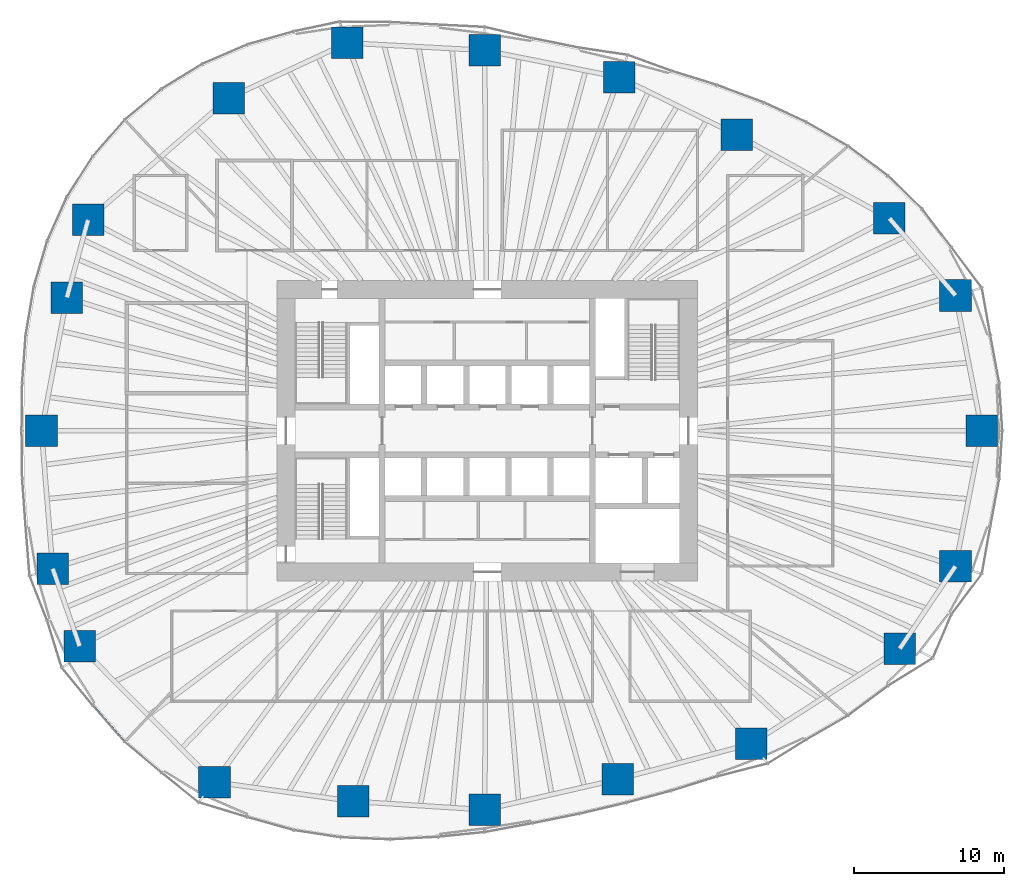
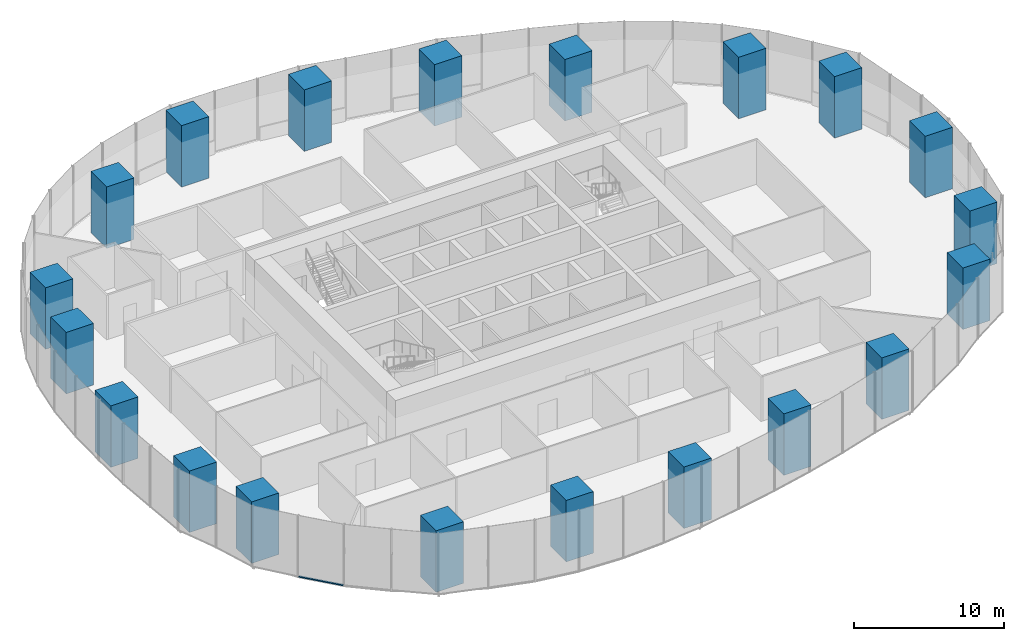
# One storey, part 1 of 20: 20 columns, 1 member, 1 element without a shape of its own.
"""IFC4 building model written with IfcOpenShell, lengths in metres."""

import ifcopenshell
import ifcopenshell.guid

model = None  # the IFC model being written
_history = None  # IfcOwnerHistory: only IFC2X3 demands one
_inside = {}  # id of a spatial element -> (the spatial element, [elements in it])
_under = {}  # id of a project, library or spatial element -> (it, [spatial elements below it])
_declared = {}  # id of a project -> (the project, [libraries it declares])
_typed = {}  # id of a type object -> (the type object, [elements of that type])
_made_of = {}  # id of a material, layer set ... -> (it, [elements and type objects made of it])


def new_model(schema):
    """Start an empty IFC model of exactly this schema.

    Asked for "IFC4X3", IfcOpenShell would pick the latest addendum, in which some entities
    have other attributes; the version numbers below select the first issue.
    IFC2X3 requires an IfcOwnerHistory on every rooted entity: one is made here for all.
    """
    global model, _history
    if schema == "IFC4X3":
        model = ifcopenshell.file(schema_version=(4, 3, 0, 0))
    else:
        model = ifcopenshell.file(schema=schema)
    _inside.clear()
    _under.clear()
    _declared.clear()
    _typed.clear()
    _made_of.clear()
    _history = None
    if model.schema == "IFC2X3":
        org = make("IfcOrganization", Name="unknown")
        user = make(
            "IfcPersonAndOrganization",
            ThePerson=make("IfcPerson", FamilyName="unknown"),
            TheOrganization=org,
        )
        app = make(
            "IfcApplication",
            ApplicationDeveloper=org,
            Version="unknown",
            ApplicationFullName="unknown",
            ApplicationIdentifier="unknown",
        )
        _history = make(
            "IfcOwnerHistory",
            OwningUser=user,
            OwningApplication=app,
            ChangeAction="ADDED",
            CreationDate=0,
        )
    return model


def make(cls, **values):
    """One entity of the class cls with the attributes given. An attribute that is None is left unset."""
    return model.create_entity(
        cls, **{name: value for name, value in values.items() if value is not None}
    )


def rooted(cls, **values):
    """An entity with a GlobalId (a new one), such as an element, a storey or a relation."""
    return make(cls, GlobalId=ifcopenshell.guid.new(), OwnerHistory=_history, **values)


def si_unit(unit_type, name, prefix=None):
    """IfcSIUnit, for example si_unit("LENGTHUNIT", "METRE", prefix="MILLI")."""
    return make("IfcSIUnit", UnitType=unit_type, Prefix=prefix, Name=name)


def assignment(units):
    """IfcUnitAssignment: the units of a project."""
    return None if units is None else make("IfcUnitAssignment", Units=units)


def point(xyz):
    """IfcCartesianPoint."""
    return None if xyz is None else make("IfcCartesianPoint", Coordinates=xyz)


def direction(xyz):
    """IfcDirection."""
    return None if xyz is None else make("IfcDirection", DirectionRatios=xyz)


def frame(location, z_axis=None, x_axis=None):
    """IfcAxis2Placement3D, a coordinate frame: its origin and axes. An axis left out is left unset."""
    return make(
        "IfcAxis2Placement3D",
        Location=point(location),
        Axis=direction(z_axis),
        RefDirection=direction(x_axis),
    )


def frame_2d(location, x_axis=None):
    """IfcAxis2Placement2D, a coordinate frame in the plane: its origin and x axis."""
    return make(
        "IfcAxis2Placement2D", Location=point(location), RefDirection=direction(x_axis)
    )


def origin():
    """The frame at (0, 0, 0) with its axes left unset."""
    return frame((0.0, 0.0, 0.0))


def origin_2d():
    """The frame at (0, 0) in the plane with its x axis left unset."""
    return frame_2d((0.0, 0.0))


def place(relative_to, where):
    """IfcLocalPlacement: puts the frame where relative to a parent placement (None: the world)."""
    return make(
        "IfcLocalPlacement", PlacementRelTo=relative_to, RelativePlacement=where
    )


def context(
    kind, dimensions, precision=None, world=None, true_north=None, identifier=None
):
    """IfcGeometricRepresentationContext, for example the 3D "Model" context."""
    return make(
        "IfcGeometricRepresentationContext",
        ContextIdentifier=identifier,
        ContextType=kind,
        CoordinateSpaceDimension=dimensions,
        Precision=precision,
        WorldCoordinateSystem=world,
        TrueNorth=true_north,
    )


def subcontext(parent, identifier, kind, view, scale=None):
    """IfcGeometricRepresentationSubContext, for example "Body" below "Model"."""
    return make(
        "IfcGeometricRepresentationSubContext",
        ContextIdentifier=identifier,
        ContextType=kind,
        ParentContext=parent,
        TargetScale=scale,
        TargetView=view,
    )


def project(units=None, contexts=None):
    """IfcProject with its units and contexts."""
    return rooted(
        "IfcProject",
        Name="project",
        RepresentationContexts=contexts,
        UnitsInContext=assignment(units),
    )


def spatial(cls, under=None, at=None, **own):
    """A site, building, storey or space (cls), placed at a placement, below another one or the project."""
    s = rooted(cls, ObjectPlacement=at, **own)
    if under is not None:
        _under.setdefault(under.id(), (under, []))[1].append(s)
    return s


def profile(cls, at=None, kind="AREA", **sizes):
    """A parametric profile (cls). Its sizes go by their IFC names, for example OverallWidth=200.0."""
    return make(cls, ProfileType=kind, Position=at, **sizes)


def rectangle(**sizes):
    """IfcRectangleProfileDef."""
    return profile("IfcRectangleProfileDef", **sizes)


def extrude(swept, where, along, depth):
    """IfcExtrudedAreaSolid: the profile swept, set in the frame where, extruded along a direction by depth."""
    return make(
        "IfcExtrudedAreaSolid",
        SweptArea=swept,
        Position=where,
        ExtrudedDirection=direction(along),
        Depth=depth,
    )


def shape(context_of_items, identifier, shape_type, items):
    """IfcShapeRepresentation: the items that make up one representation, for example the "Body"."""
    return make(
        "IfcShapeRepresentation",
        ContextOfItems=context_of_items,
        RepresentationIdentifier=identifier,
        RepresentationType=shape_type,
        Items=items,
    )


def material(Name=None, Category=None):
    """IfcMaterial."""
    return make("IfcMaterial", Name=Name, Category=Category)


def material_profile(
    of_material, cross_section, Name=None, Category=None, Priority=None
):
    """IfcMaterialProfile: a cross section and its material."""
    return make(
        "IfcMaterialProfile",
        Name=Name,
        Material=of_material,
        Profile=cross_section,
        Priority=Priority,
        Category=Category,
    )


def profile_set(profiles, Name=None, composite=None):
    """IfcMaterialProfileSet."""
    return make(
        "IfcMaterialProfileSet",
        Name=Name,
        MaterialProfiles=profiles,
        CompositeProfile=composite,
    )


def made_of(thing, what):
    """Note that an element or type object is made of a material, layer set ...; save() writes the relation."""
    if what is not None:
        _made_of.setdefault(what.id(), (what, []))[1].append(thing)
    return thing


def type_object(cls, material=None, **own):
    """A type object (cls), such as IfcWallType, which elements share."""
    return made_of(rooted(cls, **own), material)


def element(
    cls,
    number,
    at=None,
    inside=None,
    cuts=None,
    type_object=None,
    material=None,
    context=None,
    identifier="Body",
    shape_type=None,
    held_by="IfcProductDefinitionShape",
    body=None,
    shapes=None,
    **own,
):
    """One element of the class cls, such as IfcWall. Its Tag is "e" and its number.

    at: its placement. inside: the storey or other place that contains it. cuts: it is an
    opening in that element (IfcRelVoidsElement). A single representation is given by context,
    identifier, shape_type and body (its items); several are given by shapes. held_by: the class
    of the entity that holds the representations. save() writes the other relations.
    """
    e = rooted(cls, Tag="e%d" % number, ObjectPlacement=at, **own)
    if body is not None:
        shapes = [shape(context, identifier, shape_type, body)]
    if shapes is not None:
        e.Representation = make(held_by, Representations=shapes)
    if inside is not None:
        _inside.setdefault(inside.id(), (inside, []))[1].append(e)
    if cuts is not None:
        rooted(
            "IfcRelVoidsElement", RelatingBuildingElement=cuts, RelatedOpeningElement=e
        )
    if type_object is not None:
        _typed.setdefault(type_object.id(), (type_object, []))[1].append(e)
    return made_of(e, material)


def aggregate(whole, parts):
    """IfcRelAggregates: a whole, such as a stair, and the parts it consists of."""
    return rooted("IfcRelAggregates", RelatingObject=whole, RelatedObjects=parts)


def save(model, path):
    """Write the relations noted so far, then the file.

    IfcRelAggregates (storeys below a building ...), IfcRelContainedInSpatialStructure (elements
    in a storey), IfcRelDefinesByType, IfcRelAssociatesMaterial and IfcRelDeclares: one each for
    every whole, place, type object, material and project.
    """
    for whole, parts in _under.values():
        aggregate(whole, parts)
    for where, things in _inside.values():
        rooted(
            "IfcRelContainedInSpatialStructure",
            RelatedElements=things,
            RelatingStructure=where,
        )
    for kind, things in _typed.values():
        rooted("IfcRelDefinesByType", RelatedObjects=things, RelatingType=kind)
    for what, things in _made_of.values():
        rooted("IfcRelAssociatesMaterial", RelatedObjects=things, RelatingMaterial=what)
    for by, libraries in _declared.values():
        rooted("IfcRelDeclares", RelatingContext=by, RelatedDefinitions=libraries)
    model.write(path)


model = new_model("IFC4")

# Units and contexts
model_context = context("Model", 3, precision=1e-05, world=origin(), true_north=direction((0.0, 1.0)))
body_context = subcontext(model_context, "Body", "Model", "MODEL_VIEW")
ifc_project = project(units=[si_unit("LENGTHUNIT", "METRE"), si_unit("AREAUNIT", "SQUARE_METRE"), si_unit("VOLUMEUNIT", "CUBIC_METRE"), si_unit("PLANEANGLEUNIT", "RADIAN"), si_unit("MASSUNIT", "GRAM", prefix="KILO")], contexts=[model_context])

# Site, building, storey
site_placement = place(None, origin())
site = spatial("IfcSite", under=ifc_project, at=site_placement, CompositionType="ELEMENT")
building_placement = place(site_placement, origin())
building = spatial("IfcBuilding", under=site, at=building_placement, Name="Ghaith Harvest Tower", CompositionType="ELEMENT")
storey_placement = place(building_placement, frame((0.0, 0.0, 45.0)))
storey = spatial("IfcBuildingStorey", under=building, at=storey_placement, Name="L09", CompositionType="ELEMENT", Elevation=45.0)

# Columns
ifc_material_1 = material(Name="Concrete C70/85", Category="concrete")
ifc_material_profile_1 = material_profile(ifc_material_1, rectangle(XDim=2.10009765625, YDim=2.10009765625, at=origin_2d()), Name="RC2100X2100")
ifc_profile_set_1 = profile_set([ifc_material_profile_1], Name="Concrete C70/85")
column_type = type_object("IfcColumnType", Name="TC1 RC2100X2100", PredefinedType="COLUMN", material=ifc_profile_set_1)
for number, where, z_axis, x_axis, name in (
    (1, (32.925048828125, 0.0, 0.0), (0.0, 0.0, 1.0), (1.0, 0.0, 0.0), "Perimeter column C01"),
    (2, (31.166015625, 9.008056640625, 0.0), (0.0, 0.0, 1.0), (1.0, 0.0, 0.0), "Perimeter column C02"),
    (3, (26.763916015625, 14.14697265625, 0.0), (0.0, 0.0, 1.0), (1.0, 0.0, 0.0), "Perimeter column C03"),
    (4, (16.60791015625, 19.695068359375, 0.0), (0.0, 0.0, 1.0), (1.0, 0.0, 0.0), "Perimeter column C04"),
    (5, (8.794921875, 23.527099609375, 0.0), (0.0, 0.0, 1.0), (1.0, 0.0, 0.0), "Perimeter column C05"),
    (6, (-0.173095703125, 25.326904296875, 0.0), (0.0, 0.0, 1.0), (1.0, 0.0, 0.0), "Perimeter column C06"),
    (7, (-9.325927734375, 25.821044921875, 0.0), (0.0, 0.0, 1.0), (1.0, 0.0, 0.0), "Perimeter column C07"),
    (8, (-17.201904296875, 22.14990234375, 0.0), (0.0, 0.0, 1.0), (1.0, 0.0, 0.0), "Perimeter column C08"),
    (9, (-26.572998046875, 14.0458984375, 0.0), (0.0, 0.0, 1.0), (1.0, 0.0, 0.0), "Perimeter column C09"),
    (10, (-27.98291015625, 8.867919921875, 0.0), (0.0, 0.0, 1.0), (1.0, 0.0, 0.0), "Perimeter column C10"),
    (11, (-29.675048828125, 0.0, 0.0), (0.0, 0.0, 1.0), (1.0, 0.0, 0.0), "Perimeter column C11"),
    (12, (-28.929931640625, -9.16796875, 0.0), (0.0, 0.0, 1.0), (1.0, 0.0, 0.0), "Perimeter column C12"),
    (13, (-27.132080078125, -14.341064453125, 0.0), (0.0, 0.0, 1.0), (1.0, 0.0, 0.0), "Perimeter column C13"),
    (14, (-18.157958984375, -23.3798828125, 0.0), (0.0, 0.0, 1.0), (1.0, 0.0, 0.0), "Perimeter column C14"),
    (15, (-8.908935546875, -24.66796875, 0.0), (0.0, 0.0, 1.0), (1.0, 0.0, 0.0), "Perimeter column C15"),
    (16, (-0.173095703125, -25.22412109375, 0.0), (0.0, 0.0, 1.0), (1.0, 0.0, 0.0), "Perimeter column C16"),
    (17, (8.674072265625, -23.202880859375, 0.0), (0.0, 0.0, 1.0), (1.0, 0.0, 0.0), "Perimeter column C17"),
    (18, (17.572021484375, -20.8369140625, 0.0), (0.0, 0.0, 1.0), (1.0, 0.0, 0.0), "Perimeter column C18"),
    (19, (27.448974609375, -14.509033203125, 0.0), (0.0, 0.0, 1.0), (1.0, 0.0, 0.0), "Perimeter column C19"),
    (20, (31.166015625, -9.008056640625, 0.0), (0.0, 0.0, 1.0), (1.0, 0.0, 0.0), "Perimeter column C20"),
):
    element("IfcColumn", number, at=place(storey_placement, frame(where, z_axis=z_axis, x_axis=x_axis)), inside=storey, type_object=column_type, Name=name, PredefinedType="COLUMN", context=body_context, shape_type="SweptSolid", body=[
        extrude(rectangle(XDim=2.10009765625, YDim=2.10009765625, at=origin_2d()), origin(), (0.0, 0.0, 1.0), 5.0),
    ])

# Curtain wall, member
ifc_material_2 = material(Name="Black anodised aluminium and fritted glass", Category="aluminium")
curtain_wall_type = type_object("IfcCurtainWallType", Name="CW-F CURTAIN WALL", PredefinedType="NOTDEFINED", material=ifc_material_2)
curtain_wall_placement = place(storey_placement, origin())
curtain_wall = element("IfcCurtainWall", 21, at=curtain_wall_placement, inside=storey, type_object=curtain_wall_type, Name="Curtain wall CW-F bay 13 L09", PredefinedType="NOTDEFINED")
ifc_material_3 = material(Name="Aluminium, black anodised", Category="aluminium")
ifc_material_profile_2 = material_profile(ifc_material_3, rectangle(XDim=0.139892578125, YDim=0.080078125, at=origin_2d()), Name="CW-F TRANSOM 140x80")
ifc_profile_set_2 = profile_set([ifc_material_profile_2], Name="Aluminium, black anodised")
member_type = type_object("IfcMemberType", Name="CW-F TRANSOM 140x80", PredefinedType="USERDEFINED", material=ifc_profile_set_2)
member_placement = place(storey_placement, frame((-26.23681640625, -18.30419921875, 0.0400390625), z_axis=(0.65923052982, -0.751940894322, 0.0), x_axis=(0.751940894322, 0.65923052982, 0.0)))
member = element("IfcMember", 22, at=member_placement, type_object=member_type, Name="CW-F transom 1 bay 13 L09", ObjectType="TRANSOM", PredefinedType="USERDEFINED", context=body_context, shape_type="SweptSolid", body=[
    extrude(rectangle(XDim=0.139892578125, YDim=0.080078125, at=origin_2d()), origin(), (0.0, 0.0, 1.0), 3.1416015625),
])
aggregate(curtain_wall, [member])

save(model, "model.ifc")
